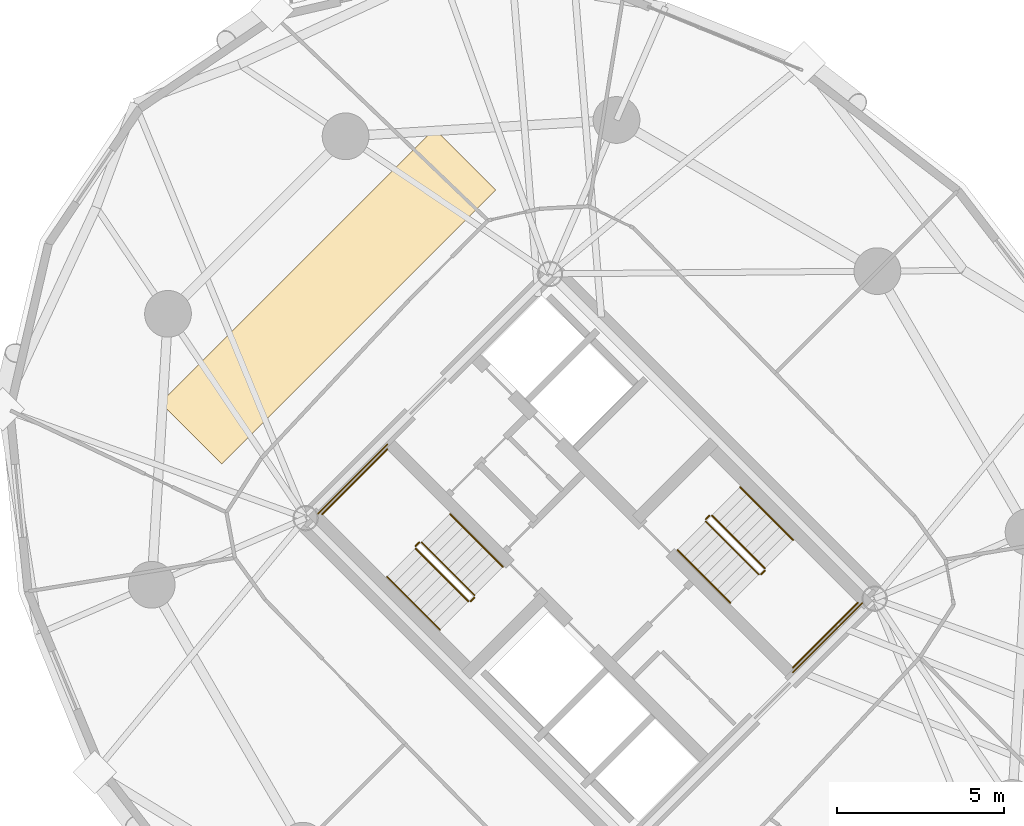
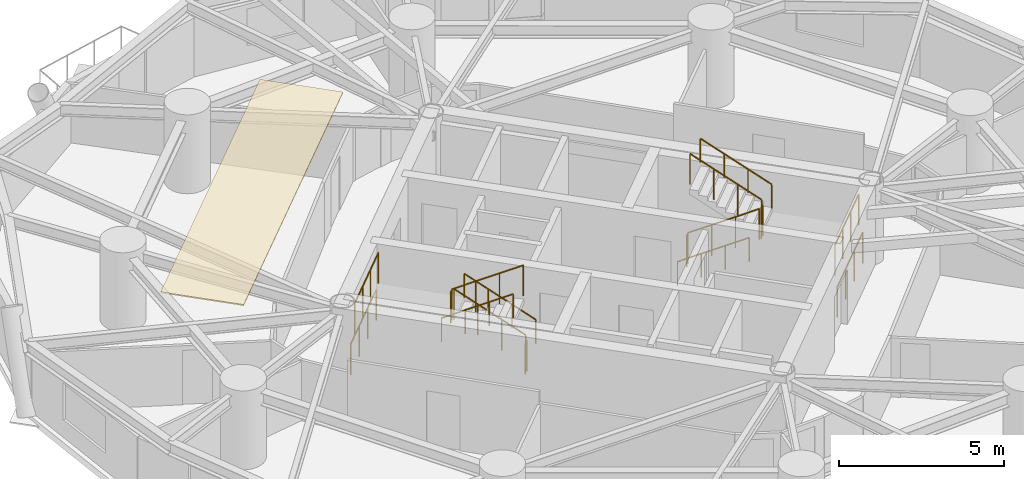
# One storey, part 17 of 18: 16 railings, 1 covering.
"""IFC4 building model written with IfcOpenShell, lengths in metres."""

from ifc_helpers import new_model, si_unit, direction, frame, origin, origin_2d, place, context, subcontext, project, spatial, polyline, circle, outline, extrude, material, layer, layer_set, type_object, element, save


model = new_model("IFC4")

# Units and contexts
model_context = context("Model", 3, precision=1e-05, world=origin(), true_north=direction((0.0, 1.0)))
body_context = subcontext(model_context, "Body", "Model", "MODEL_VIEW")
ifc_project = project(units=[si_unit("LENGTHUNIT", "METRE"), si_unit("AREAUNIT", "SQUARE_METRE"), si_unit("VOLUMEUNIT", "CUBIC_METRE"), si_unit("PLANEANGLEUNIT", "RADIAN"), si_unit("MASSUNIT", "GRAM", prefix="KILO")], contexts=[model_context])

# Site, building, storey
site_placement = place(None, origin())
site = spatial("IfcSite", under=ifc_project, at=site_placement, CompositionType="ELEMENT")
building_placement = place(site_placement, origin())
building = spatial("IfcBuilding", under=site, at=building_placement, Name="Cununo Teusaquillo Station Towers", CompositionType="ELEMENT")
storey_placement = place(building_placement, frame((0.0, 0.0, 102.159912109375)))
storey = spatial("IfcBuildingStorey", under=building, at=storey_placement, Name="L32", CompositionType="ELEMENT", Elevation=102.159912109375)

# Covering
ifc_material_1 = material(Name="Mineral-fibre acoustic suspended ceiling tile", Category="finish")
ifc_layer = layer(ifc_material_1, 0.044921875)
ifc_layer_set = layer_set([ifc_layer], Name="Mineral-fibre acoustic suspended ceiling tile")
covering_type = type_object("IfcCoveringType", Name="COV-CEIL-600", PredefinedType="CEILING", material=ifc_layer_set)
covering_placement = place(storey_placement, frame((0.0, 0.0, 2.625)))
element("IfcCovering", 1, at=covering_placement, inside=storey, type_object=covering_type, Name="L32 Tower B Acoustic Ceiling", PredefinedType="CEILING", context=body_context, shape_type="SweptSolid", body=[
    extrude(outline(polyline([(52.8330078125, 37.369384765625), (54.671630859375, 35.531005859375), (46.468994140625, 27.328369140625), (44.630615234375, 29.1669921875), (52.8330078125, 37.369384765625)])), origin(), (0.0, 0.0, 1.0), 0.045166015625),
])

# Railings
ifc_material_2 = material(Name="Steel EN 10025-2 S355J2", Category="steel")
railing_type_1 = type_object("IfcRailingType", Name="RL-INT-GUARD", PredefinedType="GUARDRAIL", material=ifc_material_2)
railing_1_placement = place(storey_placement, frame((54.03515625, 23.39697265625, 0.161865234375)))
element("IfcRailing", 2, at=railing_1_placement, inside=storey, type_object=railing_type_1, Name="L32 ST-T2-1 stair guard 1", PredefinedType="GUARDRAIL", context=body_context, shape_type="SweptSolid", body=[
    extrude(circle(Radius=0.02392578125, at=origin_2d()), frame((0.0, 0.0, 1.1259765625), z_axis=(-0.612361259024, 0.612361259024, 0.500027376144), x_axis=(-0.707106781187, -0.707106781187, 0.0)), (0.0, 0.0, 1.0), 2.586181640625),
    extrude(circle(Radius=0.02099609375, at=origin_2d()), origin(), (0.0, 0.0, 1.0), 1.101806640625),
    extrude(circle(Radius=0.02099609375, at=origin_2d()), frame((-0.52783203125, 0.52783203125, 0.43115234375)), (0.0, 0.0, 1.0), 1.101806640625),
    extrude(circle(Radius=0.02099609375, at=origin_2d()), frame((-1.055908203125, 1.055908203125, 0.862060546875)), (0.0, 0.0, 1.0), 1.101806640625),
    extrude(circle(Radius=0.02099609375, at=origin_2d()), frame((-1.583740234375, 1.583740234375, 1.293212890625)), (0.0, 0.0, 1.0), 1.101806640625),
])
railing_2_placement = place(storey_placement, frame((52.380615234375, 24.980712890625, 1.455078125)))
element("IfcRailing", 3, at=railing_2_placement, inside=storey, type_object=railing_type_1, Name="L32 ST-T2-1 stair guard 2", PredefinedType="GUARDRAIL", context=body_context, shape_type="SweptSolid", body=[
    extrude(circle(Radius=0.02392578125, at=origin_2d()), frame((0.0, 0.0, 1.1259765625), z_axis=(-0.7078691598, -0.706343579714, 0.0), x_axis=(0.706343579714, -0.7078691598, 0.0)), (0.0, 0.0, 1.0), 0.159912109375),
    extrude(circle(Radius=0.02099609375, at=origin_2d()), origin(), (0.0, 0.0, 1.0), 1.101806640625),
    extrude(circle(Radius=0.02099609375, at=origin_2d()), frame((-0.11328125, -0.113037109375, 0.0)), (0.0, 0.0, 1.0), 1.101806640625),
])
railing_3_placement = place(storey_placement, frame((51.426025390625, 27.77392578125, 1.455078125)))
element("IfcRailing", 4, at=railing_3_placement, inside=storey, type_object=railing_type_1, Name="L32 ST-T2-1 stair guard 3", PredefinedType="GUARDRAIL", context=body_context, shape_type="SweptSolid", body=[
    extrude(circle(Radius=0.02392578125, at=origin_2d()), frame((0.0, 0.0, 1.1259765625), z_axis=(-0.707106781187, -0.707106781187, 0.0), x_axis=(0.707106781187, -0.707106781187, 0.0)), (0.0, 0.0, 1.0), 2.760009765625),
    extrude(circle(Radius=0.02099609375, at=origin_2d()), origin(), (0.0, 0.0, 1.0), 1.101806640625),
    extrude(circle(Radius=0.02099609375, at=origin_2d()), frame((-0.650634765625, -0.650634765625, 0.0)), (0.0, 0.0, 1.0), 1.101806640625),
    extrude(circle(Radius=0.02099609375, at=origin_2d()), frame((-1.301025390625, -1.301025390625, 0.0)), (0.0, 0.0, 1.0), 1.101806640625),
    extrude(circle(Radius=0.02099609375, at=origin_2d()), frame((-1.95166015625, -1.95166015625, 0.0)), (0.0, 0.0, 1.0), 1.101806640625),
])
railing_4_placement = place(storey_placement, frame((52.267333984375, 24.796875, 1.61669921875)))
element("IfcRailing", 5, at=railing_4_placement, inside=storey, type_object=railing_type_1, Name="L32 ST-T2-1 stair guard 4", PredefinedType="GUARDRAIL", context=body_context, shape_type="SweptSolid", body=[
    extrude(circle(Radius=0.02392578125, at=origin_2d()), frame((0.0, 0.0, 1.1259765625), z_axis=(0.612391349474, -0.612296961165, 0.500069261639), x_axis=(0.707052281454, 0.707161276719, 0.0)), (0.0, 0.0, 1.0), 2.586669921875),
    extrude(circle(Radius=0.02099609375, at=origin_2d()), origin(), (0.0, 0.0, 1.0), 1.101806640625),
    extrude(circle(Radius=0.02099609375, at=origin_2d()), frame((0.528076171875, -0.52783203125, 0.43115234375)), (0.0, 0.0, 1.0), 1.101806640625),
    extrude(circle(Radius=0.02099609375, at=origin_2d()), frame((1.055908203125, -1.055908203125, 0.8623046875)), (0.0, 0.0, 1.0), 1.101806640625),
    extrude(circle(Radius=0.02099609375, at=origin_2d()), frame((1.583984375, -1.583740234375, 1.29345703125)), (0.0, 0.0, 1.0), 1.101806640625),
])
railing_5_placement = place(storey_placement, frame((54.03515625, 23.326171875, 0.0)))
element("IfcRailing", 6, at=railing_5_placement, inside=storey, type_object=railing_type_1, Name="L32 ST-T2-1 stair guard 5", PredefinedType="GUARDRAIL", context=body_context, shape_type="SweptSolid", body=[
    extrude(circle(Radius=0.02392578125, at=origin_2d()), frame((0.0, 0.0, 1.1259765625), z_axis=(-0.707106781187, -0.707106781187, 0.0), x_axis=(0.707106781187, -0.707106781187, 0.0)), (0.0, 0.0, 1.0), 0.159912109375),
    extrude(circle(Radius=0.02099609375, at=origin_2d()), origin(), (0.0, 0.0, 1.0), 1.101806640625),
    extrude(circle(Radius=0.02099609375, at=origin_2d()), frame((-0.113037109375, -0.113037109375, 0.0)), (0.0, 0.0, 1.0), 1.101806640625),
])
railing_6_placement = place(storey_placement, frame((51.426025390625, 27.915283203125, 0.0)))
element("IfcRailing", 7, at=railing_6_placement, inside=storey, type_object=railing_type_1, Name="L32 ST-T2-1 stair guard 6", PredefinedType="GUARDRAIL", context=body_context, shape_type="SweptSolid", body=[
    extrude(circle(Radius=0.02392578125, at=origin_2d()), frame((0.0, 0.0, 1.1259765625), z_axis=(-0.707106781187, -0.707106781187, 0.0), x_axis=(0.707106781187, -0.707106781187, 0.0)), (0.0, 0.0, 1.0), 2.9599609375),
    extrude(circle(Radius=0.02099609375, at=origin_2d()), origin(), (0.0, 0.0, 1.0), 1.101806640625),
    extrude(circle(Radius=0.02099609375, at=origin_2d()), frame((-0.69775390625, -0.69775390625, 0.0)), (0.0, 0.0, 1.0), 1.101806640625),
    extrude(circle(Radius=0.02099609375, at=origin_2d()), frame((-1.395263671875, -1.395263671875, 0.0)), (0.0, 0.0, 1.0), 1.101806640625),
    extrude(circle(Radius=0.02099609375, at=origin_2d()), frame((-2.093017578125, -2.093017578125, 0.0)), (0.0, 0.0, 1.0), 1.101806640625),
])
railing_7_placement = place(storey_placement, frame((60.96484375, 25.60302734375, 0.161865234375)))
element("IfcRailing", 8, at=railing_7_placement, inside=storey, type_object=railing_type_1, Name="L32 ST-T2-2 stair guard 1", PredefinedType="GUARDRAIL", context=body_context, shape_type="SweptSolid", body=[
    extrude(circle(Radius=0.02392578125, at=origin_2d()), frame((0.0, 0.0, 1.1259765625), z_axis=(0.612361259024, -0.612361259024, 0.500027376144), x_axis=(0.707106781187, 0.707106781187, 0.0)), (0.0, 0.0, 1.0), 2.586181640625),
    extrude(circle(Radius=0.02099609375, at=origin_2d()), origin(), (0.0, 0.0, 1.0), 1.101806640625),
    extrude(circle(Radius=0.02099609375, at=origin_2d()), frame((0.52783203125, -0.52783203125, 0.43115234375)), (0.0, 0.0, 1.0), 1.101806640625),
    extrude(circle(Radius=0.02099609375, at=origin_2d()), frame((1.055908203125, -1.055908203125, 0.862060546875)), (0.0, 0.0, 1.0), 1.101806640625),
    extrude(circle(Radius=0.02099609375, at=origin_2d()), frame((1.583740234375, -1.583740234375, 1.293212890625)), (0.0, 0.0, 1.0), 1.101806640625),
])
railing_8_placement = place(storey_placement, frame((62.619384765625, 24.019287109375, 1.455078125)))
element("IfcRailing", 9, at=railing_8_placement, inside=storey, type_object=railing_type_1, Name="L32 ST-T2-2 stair guard 2", PredefinedType="GUARDRAIL", context=body_context, shape_type="SweptSolid", body=[
    extrude(circle(Radius=0.02392578125, at=origin_2d()), frame((0.0, 0.0, 1.1259765625), z_axis=(0.7078691598, 0.706343579714, 0.0), x_axis=(-0.706343579714, 0.7078691598, 0.0)), (0.0, 0.0, 1.0), 0.159912109375),
    extrude(circle(Radius=0.02099609375, at=origin_2d()), origin(), (0.0, 0.0, 1.0), 1.101806640625),
    extrude(circle(Radius=0.02099609375, at=origin_2d()), frame((0.11328125, 0.113037109375, 0.0)), (0.0, 0.0, 1.0), 1.101806640625),
])
railing_9_placement = place(storey_placement, frame((63.573974609375, 21.22607421875, 1.455078125)))
element("IfcRailing", 10, at=railing_9_placement, inside=storey, type_object=railing_type_1, Name="L32 ST-T2-2 stair guard 3", PredefinedType="GUARDRAIL", context=body_context, shape_type="SweptSolid", body=[
    extrude(circle(Radius=0.02392578125, at=origin_2d()), frame((0.0, 0.0, 1.1259765625), z_axis=(0.707106781187, 0.707106781187, 0.0), x_axis=(-0.707106781187, 0.707106781187, 0.0)), (0.0, 0.0, 1.0), 2.760009765625),
    extrude(circle(Radius=0.02099609375, at=origin_2d()), origin(), (0.0, 0.0, 1.0), 1.101806640625),
    extrude(circle(Radius=0.02099609375, at=origin_2d()), frame((0.650634765625, 0.650634765625, 0.0)), (0.0, 0.0, 1.0), 1.101806640625),
    extrude(circle(Radius=0.02099609375, at=origin_2d()), frame((1.301025390625, 1.301025390625, 0.0)), (0.0, 0.0, 1.0), 1.101806640625),
    extrude(circle(Radius=0.02099609375, at=origin_2d()), frame((1.95166015625, 1.95166015625, 0.0)), (0.0, 0.0, 1.0), 1.101806640625),
])
railing_10_placement = place(storey_placement, frame((62.732666015625, 24.203125, 1.61669921875)))
element("IfcRailing", 11, at=railing_10_placement, inside=storey, type_object=railing_type_1, Name="L32 ST-T2-2 stair guard 4", PredefinedType="GUARDRAIL", context=body_context, shape_type="SweptSolid", body=[
    extrude(circle(Radius=0.02392578125, at=origin_2d()), frame((0.0, 0.0, 1.1259765625), z_axis=(-0.612391349474, 0.612296961165, 0.500069261639), x_axis=(-0.707052281454, -0.707161276719, 0.0)), (0.0, 0.0, 1.0), 2.586669921875),
    extrude(circle(Radius=0.02099609375, at=origin_2d()), origin(), (0.0, 0.0, 1.0), 1.101806640625),
    extrude(circle(Radius=0.02099609375, at=origin_2d()), frame((-0.528076171875, 0.52783203125, 0.43115234375)), (0.0, 0.0, 1.0), 1.101806640625),
    extrude(circle(Radius=0.02099609375, at=origin_2d()), frame((-1.055908203125, 1.055908203125, 0.8623046875)), (0.0, 0.0, 1.0), 1.101806640625),
    extrude(circle(Radius=0.02099609375, at=origin_2d()), frame((-1.583984375, 1.583740234375, 1.29345703125)), (0.0, 0.0, 1.0), 1.101806640625),
])
railing_11_placement = place(storey_placement, frame((60.96484375, 25.673828125, 0.0)))
element("IfcRailing", 12, at=railing_11_placement, inside=storey, type_object=railing_type_1, Name="L32 ST-T2-2 stair guard 5", PredefinedType="GUARDRAIL", context=body_context, shape_type="SweptSolid", body=[
    extrude(circle(Radius=0.02392578125, at=origin_2d()), frame((0.0, 0.0, 1.1259765625), z_axis=(0.707106781187, 0.707106781187, 0.0), x_axis=(-0.707106781187, 0.707106781187, 0.0)), (0.0, 0.0, 1.0), 0.159912109375),
    extrude(circle(Radius=0.02099609375, at=origin_2d()), origin(), (0.0, 0.0, 1.0), 1.101806640625),
    extrude(circle(Radius=0.02099609375, at=origin_2d()), frame((0.113037109375, 0.113037109375, 0.0)), (0.0, 0.0, 1.0), 1.101806640625),
])
railing_12_placement = place(storey_placement, frame((63.573974609375, 21.084716796875, 0.0)))
element("IfcRailing", 13, at=railing_12_placement, inside=storey, type_object=railing_type_1, Name="L32 ST-T2-2 stair guard 6", PredefinedType="GUARDRAIL", context=body_context, shape_type="SweptSolid", body=[
    extrude(circle(Radius=0.02392578125, at=origin_2d()), frame((0.0, 0.0, 1.1259765625), z_axis=(0.707106781187, 0.707106781187, 0.0), x_axis=(-0.707106781187, 0.707106781187, 0.0)), (0.0, 0.0, 1.0), 2.9599609375),
    extrude(circle(Radius=0.02099609375, at=origin_2d()), origin(), (0.0, 0.0, 1.0), 1.101806640625),
    extrude(circle(Radius=0.02099609375, at=origin_2d()), frame((0.69775390625, 0.69775390625, 0.0)), (0.0, 0.0, 1.0), 1.101806640625),
    extrude(circle(Radius=0.02099609375, at=origin_2d()), frame((1.395263671875, 1.395263671875, 0.0)), (0.0, 0.0, 1.0), 1.101806640625),
    extrude(circle(Radius=0.02099609375, at=origin_2d()), frame((2.093017578125, 2.093017578125, 0.0)), (0.0, 0.0, 1.0), 1.101806640625),
])
ifc_material_3 = material(Name="Steel EN 10025-2 S355J2", Category="steel")
railing_type_2 = type_object("IfcRailingType", Name="RL-INT-HRAIL", PredefinedType="HANDRAIL", material=ifc_material_3)
railing_13_placement = place(storey_placement, frame((54.8837890625, 24.245361328125, 0.161865234375)))
element("IfcRailing", 14, at=railing_13_placement, inside=storey, type_object=railing_type_2, Name="L32 ST-T2-1 stair handrail 1", PredefinedType="HANDRAIL", context=body_context, shape_type="SweptSolid", body=[
    extrude(circle(Radius=0.02392578125, at=origin_2d()), frame((0.0, 0.0, 0.8759765625), z_axis=(-0.612384857071, 0.612384857071, 0.499969572735), x_axis=(-0.707106781187, -0.707106781187, 0.0)), (0.0, 0.0, 1.0), 2.586669921875),
    extrude(circle(Radius=0.02099609375, at=origin_2d()), origin(), (0.0, 0.0, 1.0), 0.851806640625),
    extrude(circle(Radius=0.02099609375, at=origin_2d()), frame((-0.528076171875, 0.528076171875, 0.43115234375)), (0.0, 0.0, 1.0), 0.851806640625),
    extrude(circle(Radius=0.02099609375, at=origin_2d()), frame((-1.055908203125, 1.055908203125, 0.862060546875)), (0.0, 0.0, 1.0), 0.851806640625),
    extrude(circle(Radius=0.02099609375, at=origin_2d()), frame((-1.583984375, 1.583984375, 1.293212890625)), (0.0, 0.0, 1.0), 0.851806640625),
])
railing_14_placement = place(storey_placement, frame((51.4189453125, 23.948486328125, 1.61669921875)))
element("IfcRailing", 15, at=railing_14_placement, inside=storey, type_object=railing_type_2, Name="L32 ST-T2-1 stair handrail 2", PredefinedType="HANDRAIL", context=body_context, shape_type="SweptSolid", body=[
    extrude(circle(Radius=0.02392578125, at=origin_2d()), frame((0.0, 0.0, 0.8759765625), z_axis=(0.612355957468, -0.612355957468, 0.500040361077), x_axis=(0.707106781187, 0.707106781187, 0.0)), (0.0, 0.0, 1.0), 2.586669921875),
    extrude(circle(Radius=0.02099609375, at=origin_2d()), origin(), (0.0, 0.0, 1.0), 0.851806640625),
    extrude(circle(Radius=0.02099609375, at=origin_2d()), frame((0.528076171875, -0.528076171875, 0.43115234375)), (0.0, 0.0, 1.0), 0.851806640625),
    extrude(circle(Radius=0.02099609375, at=origin_2d()), frame((1.055908203125, -1.055908203125, 0.8623046875)), (0.0, 0.0, 1.0), 0.851806640625),
    extrude(circle(Radius=0.02099609375, at=origin_2d()), frame((1.583984375, -1.583984375, 1.29345703125)), (0.0, 0.0, 1.0), 0.851806640625),
])
railing_15_placement = place(storey_placement, frame((60.1162109375, 24.754638671875, 0.161865234375)))
element("IfcRailing", 16, at=railing_15_placement, inside=storey, type_object=railing_type_2, Name="L32 ST-T2-2 stair handrail 1", PredefinedType="HANDRAIL", context=body_context, shape_type="SweptSolid", body=[
    extrude(circle(Radius=0.02392578125, at=origin_2d()), frame((0.0, 0.0, 0.8759765625), z_axis=(0.612384857071, -0.612384857071, 0.499969572735), x_axis=(0.707106781187, 0.707106781187, 0.0)), (0.0, 0.0, 1.0), 2.586669921875),
    extrude(circle(Radius=0.02099609375, at=origin_2d()), origin(), (0.0, 0.0, 1.0), 0.851806640625),
    extrude(circle(Radius=0.02099609375, at=origin_2d()), frame((0.528076171875, -0.528076171875, 0.43115234375)), (0.0, 0.0, 1.0), 0.851806640625),
    extrude(circle(Radius=0.02099609375, at=origin_2d()), frame((1.055908203125, -1.055908203125, 0.862060546875)), (0.0, 0.0, 1.0), 0.851806640625),
    extrude(circle(Radius=0.02099609375, at=origin_2d()), frame((1.583984375, -1.583984375, 1.293212890625)), (0.0, 0.0, 1.0), 0.851806640625),
])
railing_16_placement = place(storey_placement, frame((63.5810546875, 25.051513671875, 1.61669921875)))
element("IfcRailing", 17, at=railing_16_placement, inside=storey, type_object=railing_type_2, Name="L32 ST-T2-2 stair handrail 2", PredefinedType="HANDRAIL", context=body_context, shape_type="SweptSolid", body=[
    extrude(circle(Radius=0.02392578125, at=origin_2d()), frame((0.0, 0.0, 0.8759765625), z_axis=(-0.612355957468, 0.612355957468, 0.500040361077), x_axis=(-0.707106781187, -0.707106781187, 0.0)), (0.0, 0.0, 1.0), 2.586669921875),
    extrude(circle(Radius=0.02099609375, at=origin_2d()), origin(), (0.0, 0.0, 1.0), 0.851806640625),
    extrude(circle(Radius=0.02099609375, at=origin_2d()), frame((-0.528076171875, 0.528076171875, 0.43115234375)), (0.0, 0.0, 1.0), 0.851806640625),
    extrude(circle(Radius=0.02099609375, at=origin_2d()), frame((-1.055908203125, 1.055908203125, 0.8623046875)), (0.0, 0.0, 1.0), 0.851806640625),
    extrude(circle(Radius=0.02099609375, at=origin_2d()), frame((-1.583984375, 1.583984375, 1.29345703125)), (0.0, 0.0, 1.0), 0.851806640625),
])

save(model, "model.ifc")
